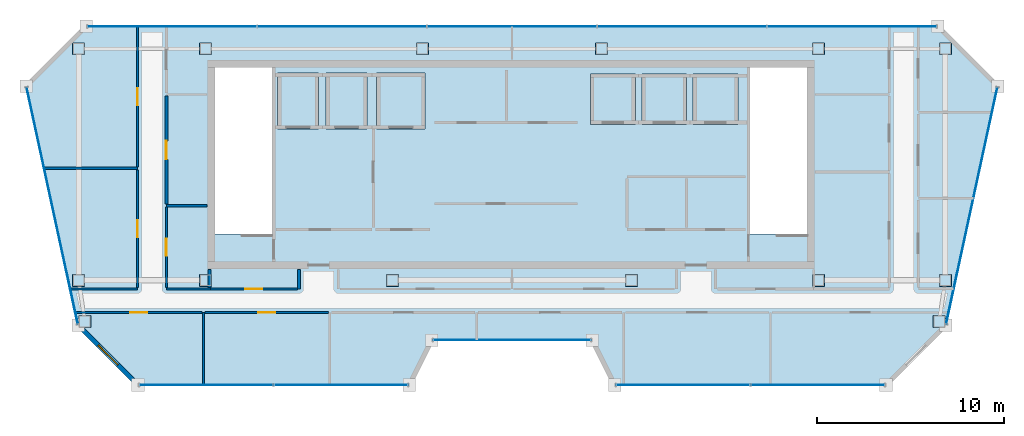
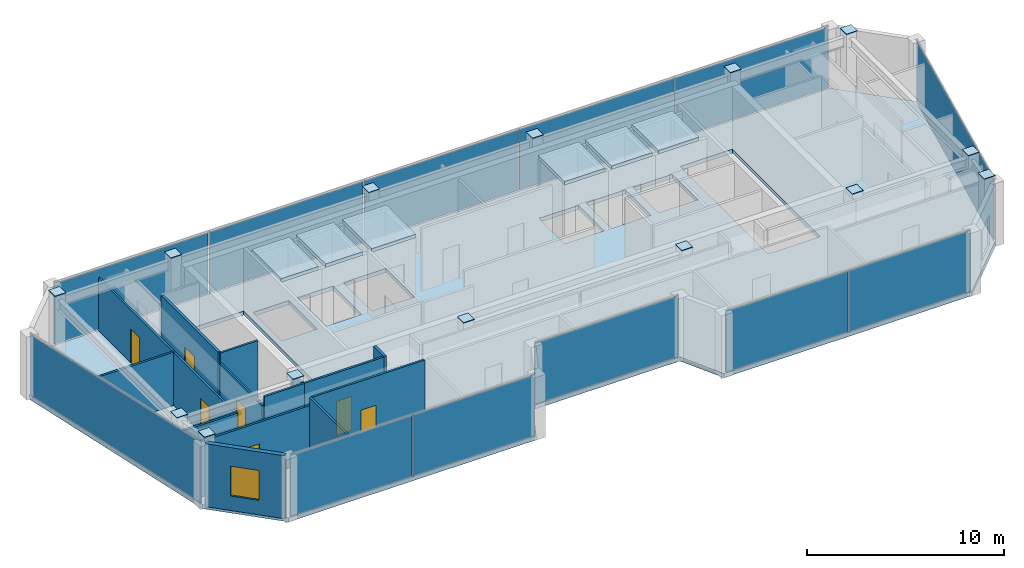
# One storey, part 13 of 17: 26 plates, 15 walls, 7 doors, 7 slabs, 1 window, 8 openings, 6 elements without a shape of their own.
"""IFC4 building model written with IfcOpenShell, lengths in metres."""

from ifc_helpers import new_model, si_unit, direction, frame, frame_2d, origin, origin_2d, place, context, subcontext, project, spatial, polyline, rectangle, outline, extrude, material, layer, layer_set, type_object, element, fill, aggregate, save


model = new_model("IFC4")

# Units and contexts
model_context = context("Model", 3, precision=1e-05, world=origin(), true_north=direction((0.0, 1.0)))
body_context = subcontext(model_context, "Body", "Model", "MODEL_VIEW")
ifc_project = project(units=[si_unit("LENGTHUNIT", "METRE"), si_unit("AREAUNIT", "SQUARE_METRE"), si_unit("VOLUMEUNIT", "CUBIC_METRE"), si_unit("PLANEANGLEUNIT", "RADIAN"), si_unit("MASSUNIT", "GRAM", prefix="KILO")], contexts=[model_context])

# Site, building, storey
site_placement = place(None, origin())
site = spatial("IfcSite", under=ifc_project, at=site_placement, CompositionType="ELEMENT")
building_placement = place(site_placement, origin())
building = spatial("IfcBuilding", under=site, at=building_placement, Name="Saevonmaru Cultural Tower", CompositionType="ELEMENT")
storey_placement = place(building_placement, frame((0.0, 0.0, 323.39990234375)))
storey = spatial("IfcBuildingStorey", under=building, at=storey_placement, Name="L77", CompositionType="ELEMENT", Elevation=323.39990234375)

# Plates
ifc_material_1 = material(Name="Steel HSA600 (600 MPa)", Category="steel")
ifc_layer_1 = layer(ifc_material_1, 0.0400390625, Name="Steel HSA600 (600 MPa)")
ifc_layer_set_1 = layer_set([ifc_layer_1], Name="Steel HSA600 (600 MPa)")
plate_type_1 = type_object("IfcPlateType", Name="PL-CAP-600", PredefinedType="USERDEFINED", material=ifc_layer_set_1)
for number, where, z_axis, x_axis, name in (
    (1, (52.867919921875, 40.199951171875, 4.195068359375), (0.0, 0.0, 1.0), (1.0, 0.0, 0.0), "Column head cap plate TC-EO-Y402 L77"),
    (2, (6.800048828125, 54.800048828125, 4.195068359375), (0.0, 0.0, 1.0), (1.0, 0.0, 0.0), "Column head cap plate TC-N1N L77"),
    (3, (13.60009765625, 54.800048828125, 4.195068359375), (0.0, 0.0, 1.0), (1.0, 0.0, 0.0), "Column head cap plate TC-N2N L77"),
    (4, (25.199951171875, 54.800048828125, 4.195068359375), (0.0, 0.0, 1.0), (1.0, 0.0, 0.0), "Column head cap plate TC-N3N L77"),
    (5, (34.800048828125, 54.800048828125, 4.195068359375), (0.0, 0.0, 1.0), (1.0, 0.0, 0.0), "Column head cap plate TC-N4N L77"),
    (6, (46.39990234375, 54.800048828125, 4.195068359375), (0.0, 0.0, 1.0), (1.0, 0.0, 0.0), "Column head cap plate TC-N5N L77"),
    (7, (53.199951171875, 54.800048828125, 4.195068359375), (0.0, 0.0, 1.0), (1.0, 0.0, 0.0), "Column head cap plate TC-N6N L77"),
    (8, (6.800048828125, 42.39990234375, 4.195068359375), (0.0, 0.0, 1.0), (1.0, 0.0, 0.0), "Column head cap plate TC-S1C L77"),
    (9, (13.60009765625, 42.39990234375, 4.195068359375), (0.0, 0.0, 1.0), (1.0, 0.0, 0.0), "Column head cap plate TC-S2C L77"),
    (10, (23.60009765625, 42.39990234375, 4.195068359375), (0.0, 0.0, 1.0), (1.0, 0.0, 0.0), "Column head cap plate TC-S3C L77"),
    (11, (36.39990234375, 42.39990234375, 4.195068359375), (0.0, 0.0, 1.0), (1.0, 0.0, 0.0), "Column head cap plate TC-S4C L77"),
    (12, (46.39990234375, 42.39990234375, 4.195068359375), (0.0, 0.0, 1.0), (1.0, 0.0, 0.0), "Column head cap plate TC-S5C L77"),
    (13, (53.199951171875, 42.39990234375, 4.195068359375), (0.0, 0.0, 1.0), (1.0, 0.0, 0.0), "Column head cap plate TC-S6C L77"),
    (14, (7.132080078125, 40.199951171875, 4.195068359375), (0.0, 0.0, 1.0), (1.0, 0.0, 0.0), "Column head cap plate TC-WO-Y402 L77"),
):
    element("IfcPlate", number, at=place(storey_placement, frame(where, z_axis=z_axis, x_axis=x_axis)), inside=storey, type_object=plate_type_1, Name=name, ObjectType="CAP_PLATE", PredefinedType="USERDEFINED", context=body_context, shape_type="SweptSolid", body=[
        extrude(rectangle(XDim=0.639892578125, YDim=0.639892578125, at=origin_2d()), origin(), (0.0, 0.0, 1.0), 0.0400390625),
    ])

# Curtain wall, plates
ifc_material_2 = material(Name="Satin Bronze Anodised Aluminium", Category="aluminium")
curtain_wall_type = type_object("IfcCurtainWallType", Name="CW-SKY-GLZ", PredefinedType="NOTDEFINED", material=ifc_material_2)
curtain_wall_1_placement = place(storey_placement, origin())
curtain_wall_1 = element("IfcCurtainWall", 15, at=curtain_wall_1_placement, inside=storey, type_object=curtain_wall_type, Name="L77 Unitised Curtain Wall E2", PredefinedType="NOTDEFINED")
ifc_material_3 = material(Name="Triple Silver Low-E Insulating Glass", Category="glass")
ifc_layer_2 = layer(ifc_material_3, 0.035888671875, Name="Triple Silver Low-E Insulating Glass")
ifc_layer_set_2 = layer_set([ifc_layer_2], Name="Triple Silver Low-E Insulating Glass")
plate_type_2 = type_object("IfcPlateType", Name="PN-GLZ-IGU", PredefinedType="CURTAIN_PANEL", material=ifc_layer_set_2)
plate_1_placement = place(storey_placement, frame((13.635009765625, 36.800048828125, 0.067138671875), z_axis=(0.0, 0.0, 1.0), x_axis=(1.0, 0.0, 0.0)))
plate_1 = element("IfcPlate", 16, at=plate_1_placement, type_object=plate_type_2, Name="CW-TW-L77-E2 panel 1.1", PredefinedType="CURTAIN_PANEL", context=body_context, shape_type="SweptSolid", body=[
    extrude(rectangle(XDim=7.13427734375, YDim=0.035888671875, at=origin_2d()), origin(), (0.0, 0.0, 1.0), 3.76611328125),
])
plate_2_placement = place(storey_placement, frame((20.83837890625, 36.800048828125, 0.067138671875), z_axis=(0.0, 0.0, 1.0), x_axis=(1.0, 0.0, 0.0)))
plate_2 = element("IfcPlate", 17, at=plate_2_placement, type_object=plate_type_2, Name="CW-TW-L77-E2 panel 2.1", PredefinedType="CURTAIN_PANEL", context=body_context, shape_type="SweptSolid", body=[
    extrude(rectangle(XDim=7.13427734375, YDim=0.035888671875, at=origin_2d()), origin(), (0.0, 0.0, 1.0), 3.76611328125),
])
aggregate(curtain_wall_1, [plate_1, plate_2])

# Curtain wall, plate
curtain_wall_2_placement = place(storey_placement, origin())
curtain_wall_2 = element("IfcCurtainWall", 18, at=curtain_wall_2_placement, inside=storey, type_object=curtain_wall_type, Name="L77 Unitised Curtain Wall E4", PredefinedType="NOTDEFINED")
plate_3_placement = place(storey_placement, frame((30.0, 39.199951171875, 0.067138671875), z_axis=(0.0, 0.0, 1.0), x_axis=(1.0, 0.0, 0.0)))
plate_3 = element("IfcPlate", 19, at=plate_3_placement, type_object=plate_type_2, Name="CW-TW-L77-E4 panel 1.1", PredefinedType="CURTAIN_PANEL", context=body_context, shape_type="SweptSolid", body=[
    extrude(rectangle(XDim=8.410888671875, YDim=0.035888671875, at=origin_2d()), origin(), (0.0, 0.0, 1.0), 3.76611328125),
])
aggregate(curtain_wall_2, [plate_3])

# Curtain wall, plates
curtain_wall_3_placement = place(storey_placement, origin())
curtain_wall_3 = element("IfcCurtainWall", 20, at=curtain_wall_3_placement, inside=storey, type_object=curtain_wall_type, Name="L77 Unitised Curtain Wall E6", PredefinedType="NOTDEFINED")
plate_4_placement = place(storey_placement, frame((39.16162109375, 36.800048828125, 0.067138671875), z_axis=(0.0, 0.0, 1.0), x_axis=(1.0, 0.0, 0.0)))
plate_4 = element("IfcPlate", 21, at=plate_4_placement, type_object=plate_type_2, Name="CW-TW-L77-E6 panel 1.1", PredefinedType="CURTAIN_PANEL", context=body_context, shape_type="SweptSolid", body=[
    extrude(rectangle(XDim=7.13427734375, YDim=0.035888671875, at=origin_2d()), origin(), (0.0, 0.0, 1.0), 3.76611328125),
])
plate_5_placement = place(storey_placement, frame((46.364990234375, 36.800048828125, 0.067138671875), z_axis=(0.0, 0.0, 1.0), x_axis=(1.0, 0.0, 0.0)))
plate_5 = element("IfcPlate", 22, at=plate_5_placement, type_object=plate_type_2, Name="CW-TW-L77-E6 panel 2.1", PredefinedType="CURTAIN_PANEL", context=body_context, shape_type="SweptSolid", body=[
    extrude(rectangle(XDim=7.13427734375, YDim=0.035888671875, at=origin_2d()), origin(), (0.0, 0.0, 1.0), 3.76611328125),
])
aggregate(curtain_wall_3, [plate_4, plate_5])

# Curtain wall, plate
curtain_wall_4_placement = place(storey_placement, origin())
curtain_wall_4 = element("IfcCurtainWall", 23, at=curtain_wall_4_placement, inside=storey, type_object=curtain_wall_type, Name="L77 Unitised Curtain Wall E8", PredefinedType="NOTDEFINED")
plate_6_placement = place(storey_placement, frame((54.61328125, 46.39990234375, 0.067138671875), z_axis=(0.0, 0.0, 1.0), x_axis=(0.211750401587, 0.977323778196, 0.0)))
plate_6 = element("IfcPlate", 24, at=plate_6_placement, type_object=plate_type_2, Name="CW-TW-L77-E8 panel 1.1", PredefinedType="CURTAIN_PANEL", context=body_context, shape_type="SweptSolid", body=[
    extrude(rectangle(XDim=12.907958984375, YDim=0.035888671875, at=origin_2d()), origin(), (0.0, 0.0, 1.0), 3.76611328125),
])
aggregate(curtain_wall_4, [plate_6])

# Curtain wall, plates
curtain_wall_5_placement = place(storey_placement, origin())
curtain_wall_5 = element("IfcCurtainWall", 25, at=curtain_wall_5_placement, inside=storey, type_object=curtain_wall_type, Name="L77 Unitised Curtain Wall E10", PredefinedType="NOTDEFINED")
plate_7_placement = place(storey_placement, frame((48.19189453125, 56.0, 0.067138671875), z_axis=(0.0, 0.0, 1.0), x_axis=(-1.0, 0.0, 0.0)))
plate_7 = element("IfcPlate", 26, at=plate_7_placement, type_object=plate_type_2, Name="CW-TW-L77-E10 panel 1.1", PredefinedType="CURTAIN_PANEL", context=body_context, shape_type="SweptSolid", body=[
    extrude(rectangle(XDim=9.027099609375, YDim=0.035888671875, at=origin_2d()), origin(), (0.0, 0.0, 1.0), 3.76611328125),
])
plate_8_placement = place(storey_placement, frame((39.095947265625, 56.0, 0.067138671875), z_axis=(0.0, 0.0, 1.0), x_axis=(-1.0, 0.0, 0.0)))
plate_8 = element("IfcPlate", 27, at=plate_8_placement, type_object=plate_type_2, Name="CW-TW-L77-E10 panel 2.1", PredefinedType="CURTAIN_PANEL", context=body_context, shape_type="SweptSolid", body=[
    extrude(rectangle(XDim=9.027099609375, YDim=0.035888671875, at=origin_2d()), origin(), (0.0, 0.0, 1.0), 3.76611328125),
])
plate_9_placement = place(storey_placement, frame((30.0, 56.0, 0.067138671875), z_axis=(0.0, 0.0, 1.0), x_axis=(-1.0, 0.0, 0.0)))
plate_9 = element("IfcPlate", 28, at=plate_9_placement, type_object=plate_type_2, Name="CW-TW-L77-E10 panel 3.1", PredefinedType="CURTAIN_PANEL", context=body_context, shape_type="SweptSolid", body=[
    extrude(rectangle(XDim=9.027099609375, YDim=0.035888671875, at=origin_2d()), origin(), (0.0, 0.0, 1.0), 3.76611328125),
])
plate_10_placement = place(storey_placement, frame((20.904052734375, 56.0, 0.067138671875), z_axis=(0.0, 0.0, 1.0), x_axis=(-1.0, 0.0, 0.0)))
plate_10 = element("IfcPlate", 29, at=plate_10_placement, type_object=plate_type_2, Name="CW-TW-L77-E10 panel 4.1", PredefinedType="CURTAIN_PANEL", context=body_context, shape_type="SweptSolid", body=[
    extrude(rectangle(XDim=9.027099609375, YDim=0.035888671875, at=origin_2d()), origin(), (0.0, 0.0, 1.0), 3.76611328125),
])
plate_11_placement = place(storey_placement, frame((11.80810546875, 56.0, 0.067138671875), z_axis=(0.0, 0.0, 1.0), x_axis=(-1.0, 0.0, 0.0)))
plate_11 = element("IfcPlate", 30, at=plate_11_placement, type_object=plate_type_2, Name="CW-TW-L77-E10 panel 5.1", PredefinedType="CURTAIN_PANEL", context=body_context, shape_type="SweptSolid", body=[
    extrude(rectangle(XDim=9.027099609375, YDim=0.035888671875, at=origin_2d()), origin(), (0.0, 0.0, 1.0), 3.76611328125),
])
aggregate(curtain_wall_5, [plate_7, plate_8, plate_9, plate_10, plate_11])

# Curtain wall, plate
curtain_wall_6_placement = place(storey_placement, origin())
curtain_wall_6 = element("IfcCurtainWall", 31, at=curtain_wall_6_placement, inside=storey, type_object=curtain_wall_type, Name="L77 Unitised Curtain Wall E12", PredefinedType="NOTDEFINED")
plate_12_placement = place(storey_placement, frame((5.38671875, 46.39990234375, 0.067138671875), z_axis=(0.0, 0.0, 1.0), x_axis=(0.211750401587, -0.977323778196, 0.0)))
plate_12 = element("IfcPlate", 32, at=plate_12_placement, type_object=plate_type_2, Name="CW-TW-L77-E12 panel 1.1", PredefinedType="CURTAIN_PANEL", context=body_context, shape_type="SweptSolid", body=[
    extrude(rectangle(XDim=12.907958984375, YDim=0.035888671875, at=origin_2d()), origin(), (0.0, 0.0, 1.0), 3.76611328125),
])
aggregate(curtain_wall_6, [plate_12])

# Slabs
ifc_material_4 = material(Name="Concrete C40/50", Category="concrete")
ifc_layer_3 = layer(ifc_material_4, 0.25, Name="Concrete C40/50")
ifc_layer_set_3 = layer_set([ifc_layer_3], Name="Concrete C40/50")
slab_type_1 = type_object("IfcSlabType", Name="SL-FLR-250", PredefinedType="FLOOR", material=ifc_layer_set_3)
slab_1_placement = place(storey_placement, frame((0.0, 0.0, -0.25)))
element("IfcSlab", 33, at=slab_1_placement, inside=storey, type_object=slab_type_1, Name="L77 Tower Structural Floor Slab", PredefinedType="FLOOR", context=body_context, shape_type="SweptSolid", body=[
    extrude(outline(polyline([(6.773193359375, 40.0), (9.973388671875, 36.800048828125), (24.5, 36.800048828125), (25.699951171875, 39.199951171875), (34.300048828125, 39.199951171875), (35.5, 36.800048828125), (50.026611328125, 36.800048828125), (53.226806640625, 40.0), (56.0, 52.800048828125), (52.800048828125, 56.0), (7.199951171875, 56.0), (4.0, 52.800048828125), (6.773193359375, 40.0)]), holes=[polyline([(45.800048828125, 53.800048828125), (45.800048828125, 44.875), (42.75, 44.875), (42.75, 53.800048828125), (45.800048828125, 53.800048828125)]), polyline([(42.050048828125, 50.800048828125), (39.75, 50.800048828125), (39.75, 53.39990234375), (42.050048828125, 53.39990234375), (42.050048828125, 50.800048828125)]), polyline([(39.300048828125, 50.800048828125), (37.0, 50.800048828125), (37.0, 53.39990234375), (39.300048828125, 53.39990234375), (39.300048828125, 50.800048828125)]), polyline([(36.550048828125, 50.800048828125), (34.25, 50.800048828125), (34.25, 53.39990234375), (36.550048828125, 53.39990234375), (36.550048828125, 50.800048828125)]), polyline([(25.300048828125, 50.550048828125), (22.800048828125, 50.550048828125), (22.800048828125, 53.449951171875), (25.300048828125, 53.449951171875), (25.300048828125, 50.550048828125)]), polyline([(22.199951171875, 50.550048828125), (20.10009765625, 50.550048828125), (20.10009765625, 53.449951171875), (22.199951171875, 53.449951171875), (22.199951171875, 50.550048828125)]), polyline([(19.60009765625, 50.550048828125), (17.5, 50.550048828125), (17.5, 53.449951171875), (19.60009765625, 53.449951171875), (19.60009765625, 50.550048828125)]), polyline([(17.14990234375, 53.800048828125), (17.14990234375, 44.875), (14.10009765625, 44.875), (14.10009765625, 53.800048828125), (17.14990234375, 53.800048828125)])]), origin(), (0.0, 0.0, 1.0), 0.25),
])
ifc_layer_4 = layer(ifc_material_4, 0.219970703125, Name="Concrete C40/50")
ifc_layer_set_4 = layer_set([ifc_layer_4], Name="Concrete C40/50")
slab_type_2 = type_object("IfcSlabType", Name="SL-SHAFT-CAP-220", PredefinedType="ROOF", material=ifc_layer_set_4)
slab_2_placement = place(storey_placement, frame((0.0, 0.0, 3.68017578125)))
element("IfcSlab", 34, at=slab_2_placement, inside=storey, type_object=slab_type_2, Name="Lift FFL-1 Overrun Cap Slab", PredefinedType="ROOF", context=body_context, shape_type="SweptSolid", body=[
    extrude(outline(polyline([(17.449951171875, 50.5), (19.64990234375, 50.5), (19.64990234375, 53.5), (17.449951171875, 53.5), (17.449951171875, 50.5)])), origin(), (0.0, 0.0, 1.0), 0.219970703125),
])
slab_3_placement = place(storey_placement, frame((0.0, 0.0, 3.68017578125)))
element("IfcSlab", 35, at=slab_3_placement, inside=storey, type_object=slab_type_2, Name="Lift FFL-2 Overrun Cap Slab", PredefinedType="ROOF", context=body_context, shape_type="SweptSolid", body=[
    extrude(outline(polyline([(20.050048828125, 50.5), (22.25, 50.5), (22.25, 53.5), (20.050048828125, 53.5), (20.050048828125, 50.5)])), origin(), (0.0, 0.0, 1.0), 0.219970703125),
])
slab_4_placement = place(storey_placement, frame((0.0, 0.0, 3.68017578125)))
element("IfcSlab", 36, at=slab_4_placement, inside=storey, type_object=slab_type_2, Name="Lift GL-1 Overrun Cap Slab", PredefinedType="ROOF", context=body_context, shape_type="SweptSolid", body=[
    extrude(outline(polyline([(22.75, 50.5), (25.35009765625, 50.5), (25.35009765625, 53.5), (22.75, 53.5), (22.75, 50.5)])), origin(), (0.0, 0.0, 1.0), 0.219970703125),
])
slab_5_placement = place(storey_placement, frame((0.0, 0.0, 3.68017578125)))
element("IfcSlab", 37, at=slab_5_placement, inside=storey, type_object=slab_type_2, Name="Lift PL-H1 Overrun Cap Slab", PredefinedType="ROOF", context=body_context, shape_type="SweptSolid", body=[
    extrude(outline(polyline([(34.199951171875, 50.75), (36.60009765625, 50.75), (36.60009765625, 53.449951171875), (34.199951171875, 53.449951171875), (34.199951171875, 50.75)])), origin(), (0.0, 0.0, 1.0), 0.219970703125),
])
slab_6_placement = place(storey_placement, frame((0.0, 0.0, 3.68017578125)))
element("IfcSlab", 38, at=slab_6_placement, inside=storey, type_object=slab_type_2, Name="Lift PL-H2 Overrun Cap Slab", PredefinedType="ROOF", context=body_context, shape_type="SweptSolid", body=[
    extrude(outline(polyline([(36.949951171875, 50.75), (39.35009765625, 50.75), (39.35009765625, 53.449951171875), (36.949951171875, 53.449951171875), (36.949951171875, 50.75)])), origin(), (0.0, 0.0, 1.0), 0.219970703125),
])
slab_7_placement = place(storey_placement, frame((0.0, 0.0, 3.68017578125)))
element("IfcSlab", 39, at=slab_7_placement, inside=storey, type_object=slab_type_2, Name="Lift PL-H3 Overrun Cap Slab", PredefinedType="ROOF", context=body_context, shape_type="SweptSolid", body=[
    extrude(outline(polyline([(39.699951171875, 50.75), (42.10009765625, 50.75), (42.10009765625, 53.449951171875), (39.699951171875, 53.449951171875), (39.699951171875, 50.75)])), origin(), (0.0, 0.0, 1.0), 0.219970703125),
])

# Wall, opening, window
ifc_material_5 = material(Name="Granite-Clad Precast Concrete C40/50", Category="masonry")
ifc_layer_5 = layer(ifc_material_5, 0.260009765625, Name="Granite-Clad Precast Concrete C40/50")
ifc_layer_set_5 = layer_set([ifc_layer_5], Name="Granite-Clad Precast Concrete C40/50")
wall_type_1 = type_object("IfcWallType", Name="WL-EXT-SPANDREL-260", PredefinedType="STANDARD", material=ifc_layer_set_5)
wall_1_placement = place(storey_placement, frame((6.886474609375, 39.886962890625, 0.0), z_axis=(0.0, 0.0, 1.0), x_axis=(0.70707775441, -0.707135806771, 0.0)))
wall_1 = element("IfcWall", 40, at=wall_1_placement, inside=storey, type_object=wall_type_1, Name="L77 Chamfer Corner Spandrel Wall E1", PredefinedType="STANDARD", context=body_context, shape_type="SweptSolid", body=[
    extrude(rectangle(XDim=4.20556640625, YDim=0.260009765625, at=frame_2d((2.102783203125, 0.0))), origin(), (0.0, 0.0, 1.0), 3.900146484375),
])
opening_1_placement = place(wall_1_placement, frame((1.35302734375, 0.0, 0.89990234375)))
opening_1 = element("IfcOpeningElement", 41, at=opening_1_placement, cuts=wall_1, Name="Opening W-2B", PredefinedType="OPENING", context=body_context, shape_type="SweptSolid", body=[
    extrude(rectangle(XDim=1.5, YDim=1.85009765625, at=frame_2d((0.75, 0.925048828125))), frame((0.0, 0.14013671875, 0.0), z_axis=(0.0, -1.0, 0.0), x_axis=(1.0, 0.0, 0.0)), (0.0, 0.0, 1.0), 0.280029296875),
])
window_type = type_object("IfcWindowType", Name="WN-DECO-1500x1850", PartitioningType="SINGLE_PANEL", PredefinedType="WINDOW", material=ifc_material_2)
window_placement = place(opening_1_placement, origin())
window = element("IfcWindow", 42, at=window_placement, inside=storey, type_object=window_type, Name="L77 Chamfer Corner Bronze Window E1", OverallHeight=1.85009765625, OverallWidth=1.5, PartitioningType="SINGLE_PANEL", PredefinedType="WINDOW", context=body_context, shape_type="SweptSolid", body=[
    extrude(rectangle(XDim=1.5, YDim=1.85009765625, at=frame_2d((0.75, 0.925048828125))), frame((0.0, 0.030029296875, 0.0), z_axis=(0.0, -1.0, 0.0), x_axis=(1.0, 0.0, 0.0)), (0.0, 0.0, 1.0), 0.06005859375),
])
fill(opening_1, window)

# Wall, opening, door
ifc_material_6 = material(Name="Gypsum Fireboard Partition", Category="gypsum")
ifc_layer_6 = layer(ifc_material_6, 0.14990234375, Name="Gypsum Fireboard Partition")
ifc_layer_set_6 = layer_set([ifc_layer_6], Name="Gypsum Fireboard Partition")
wall_type_2 = type_object("IfcWallType", Name="WL-PART-FIRE-150", PredefinedType="PARTITIONING", material=ifc_layer_set_6)
wall_2_placement = place(storey_placement, frame((11.5, 46.47998046875, 0.0), z_axis=(0.0, 0.0, 1.0), x_axis=(0.0, 1.0, 0.0)))
wall_2 = element("IfcWall", 43, at=wall_2_placement, inside=storey, type_object=wall_type_2, Name="L77 Media Screening Auditorium Corridor Wall", PredefinedType="PARTITIONING", context=body_context, shape_type="SweptSolid", body=[
    extrude(rectangle(XDim=5.7900390625, YDim=0.14990234375, at=frame_2d((2.89501953125, 0.0))), origin(), (0.0, 0.0, 1.0), 3.900146484375),
])
opening_2_placement = place(wall_2_placement, frame((2.39501953125, 0.0, 0.0)))
opening_2 = element("IfcOpeningElement", 44, at=opening_2_placement, cuts=wall_2, Name="Opening ID-1B", PredefinedType="OPENING", context=body_context, shape_type="SweptSolid", body=[
    extrude(rectangle(XDim=1.0, YDim=2.14990234375, at=frame_2d((0.5, 1.074951171875))), frame((0.0, 0.0849609375, 0.0), z_axis=(0.0, -1.0, 0.0), x_axis=(1.0, 0.0, 0.0)), (0.0, 0.0, 1.0), 0.169921875),
])
ifc_material_7 = material(Name="Acoustic Stained Oak Timber", Category="wood")
door_type_1 = type_object("IfcDoorType", Name="DR-INT-1000", OperationType="SINGLE_SWING_RIGHT", PredefinedType="DOOR", material=ifc_material_7)
door_1_placement = place(opening_2_placement, origin())
door_1 = element("IfcDoor", 45, at=door_1_placement, inside=storey, type_object=door_type_1, Name="L77 Media Screening Auditorium Door", OperationType="SINGLE_SWING_LEFT", OverallHeight=2.14990234375, OverallWidth=1.0, PredefinedType="DOOR", context=body_context, shape_type="SweptSolid", body=[
    extrude(rectangle(XDim=1.0, YDim=2.14990234375, at=frame_2d((0.5, 1.074951171875))), frame((0.0, 0.02490234375, 0.0), z_axis=(0.0, -1.0, 0.0), x_axis=(1.0, 0.0, 0.0)), (0.0, 0.0, 1.0), 0.050048828125),
])
fill(opening_2, door_1)

# Walls
wall_3_placement = place(storey_placement, frame((13.800048828125, 42.02001953125, 0.0), z_axis=(0.0, 0.0, 1.0), x_axis=(0.0, 1.0, 0.0)))
element("IfcWall", 46, at=wall_3_placement, inside=storey, type_object=wall_type_2, Name="L77 Core Portal Side Wall W0", PredefinedType="PARTITIONING", context=body_context, shape_type="SweptSolid", body=[
    extrude(rectangle(XDim=0.9599609375, YDim=0.14990234375, at=frame_2d((0.47998046875, 0.0))), origin(), (0.0, 0.0, 1.0), 3.900146484375),
])
wall_4_placement = place(storey_placement, frame((18.60009765625, 41.93994140625, 0.0), z_axis=(0.0, 0.0, 1.0), x_axis=(0.0, 1.0, 0.0)))
element("IfcWall", 47, at=wall_4_placement, inside=storey, type_object=wall_type_2, Name="L77 Core Portal Side Wall W1", PredefinedType="PARTITIONING", context=body_context, shape_type="SweptSolid", body=[
    extrude(rectangle(XDim=1.0400390625, YDim=0.14990234375, at=frame_2d((0.52001953125, 0.0))), origin(), (0.0, 0.0, 1.0), 3.900146484375),
])
ifc_layer_7 = layer(ifc_material_6, 0.1201171875, Name="Gypsum Fireboard Partition")
ifc_layer_set_7 = layer_set([ifc_layer_7], Name="Gypsum Fireboard Partition")
wall_type_3 = type_object("IfcWallType", Name="WL-PART-GYP-120", PredefinedType="PARTITIONING", material=ifc_layer_set_7)
wall_5_placement = place(storey_placement, frame((6.358154296875, 41.93994140625, 0.0), z_axis=(0.0, 0.0, 1.0), x_axis=(1.0, 0.0, 0.0)))
element("IfcWall", 48, at=wall_5_placement, inside=storey, type_object=wall_type_3, Name="L77 NW Wing South Wall", PredefinedType="PARTITIONING", context=body_context, shape_type="SweptSolid", body=[
    extrude(rectangle(XDim=3.591796875, YDim=0.1201171875, at=frame_2d((1.7958984375, 0.0))), origin(), (0.0, 0.0, 1.0), 3.43505859375),
])
wall_6_placement = place(storey_placement, frame((11.5, 41.93994140625, 0.0), z_axis=(0.0, 0.0, 1.0), x_axis=(1.0, 0.0, 0.0)))
element("IfcWall", 49, at=wall_6_placement, inside=storey, type_object=wall_type_3, Name="L77 NW Inner South Wall", PredefinedType="PARTITIONING", context=body_context, shape_type="SweptSolid", body=[
    extrude(rectangle(XDim=2.35009765625, YDim=0.1201171875, at=frame_2d((1.175048828125, 0.0))), origin(), (0.0, 0.0, 1.0), 3.900146484375),
])
wall_7_placement = place(storey_placement, frame((4.95849609375, 48.39990234375, 0.0), z_axis=(0.0, 0.0, 1.0), x_axis=(1.0, 0.0, 0.0)))
element("IfcWall", 50, at=wall_7_placement, inside=storey, type_object=wall_type_3, Name="L77 NW Studio Divider 1", PredefinedType="PARTITIONING", context=body_context, shape_type="SweptSolid", body=[
    extrude(rectangle(XDim=4.991455078125, YDim=0.1201171875, at=frame_2d((2.49560546875, 0.0))), origin(), (0.0, 0.0, 1.0), 3.297119140625),
])

# Wall, opening, door
wall_8_placement = place(storey_placement, frame((9.949951171875, 42.02001953125, 0.0), z_axis=(0.0, 0.0, 1.0), x_axis=(0.0, 1.0, 0.0)))
wall_8 = element("IfcWall", 51, at=wall_8_placement, inside=storey, type_object=wall_type_3, Name="L77 Digital Media Classroom Corridor Wall", PredefinedType="PARTITIONING", context=body_context, shape_type="SweptSolid", body=[
    extrude(rectangle(XDim=6.300048828125, YDim=0.1201171875, at=frame_2d((3.14990234375, 0.0))), origin(), (0.0, 0.0, 1.0), 3.297119140625),
])
opening_3_placement = place(wall_8_placement, frame((2.699951171875, 0.0, 0.0)))
opening_3 = element("IfcOpeningElement", 52, at=opening_3_placement, cuts=wall_8, Name="Opening ID-2", PredefinedType="OPENING", context=body_context, shape_type="SweptSolid", body=[
    extrude(rectangle(XDim=0.89990234375, YDim=2.10009765625, at=frame_2d((0.449951171875, 1.050048828125))), frame((0.0, 0.070068359375, 0.0), z_axis=(0.0, -1.0, 0.0), x_axis=(1.0, 0.0, 0.0)), (0.0, 0.0, 1.0), 0.14013671875),
])
door_type_2 = type_object("IfcDoorType", Name="DR-INT-900", OperationType="SINGLE_SWING_RIGHT", PredefinedType="DOOR", material=ifc_material_7)
door_2_placement = place(opening_3_placement, origin())
door_2 = element("IfcDoor", 53, at=door_2_placement, inside=storey, type_object=door_type_2, Name="L77 Digital Media Classroom Door", OperationType="SINGLE_SWING_RIGHT", OverallHeight=2.10009765625, OverallWidth=0.89990234375, PredefinedType="DOOR", context=body_context, shape_type="SweptSolid", body=[
    extrude(rectangle(XDim=0.89990234375, YDim=2.10009765625, at=frame_2d((0.449951171875, 1.050048828125))), frame((0.0, 0.02490234375, 0.0), z_axis=(0.0, -1.0, 0.0), x_axis=(1.0, 0.0, 0.0)), (0.0, 0.0, 1.0), 0.050048828125),
])
fill(opening_3, door_2)

wall_9_placement = place(storey_placement, frame((9.949951171875, 48.47998046875, 0.0), z_axis=(0.0, 0.0, 1.0), x_axis=(0.0, 1.0, 0.0)))
wall_9 = element("IfcWall", 54, at=wall_9_placement, inside=storey, type_object=wall_type_3, Name="L77 Design Seminar Classroom Corridor Wall", PredefinedType="PARTITIONING", context=body_context, shape_type="SweptSolid", body=[
    extrude(rectangle(XDim=7.51513671875, YDim=0.1201171875, at=frame_2d((3.757568359375, 0.0))), origin(), (0.0, 0.0, 1.0), 3.28515625),
])
opening_4_placement = place(wall_9_placement, frame((3.30810546875, 0.0, 0.0)))
opening_4 = element("IfcOpeningElement", 55, at=opening_4_placement, cuts=wall_9, Name="Opening ID-2", PredefinedType="OPENING", context=body_context, shape_type="SweptSolid", body=[
    extrude(rectangle(XDim=0.89990234375, YDim=2.10009765625, at=frame_2d((0.449951171875, 1.050048828125))), frame((0.0, 0.070068359375, 0.0), z_axis=(0.0, -1.0, 0.0), x_axis=(1.0, 0.0, 0.0)), (0.0, 0.0, 1.0), 0.14013671875),
])
door_3_placement = place(opening_4_placement, origin())
door_3 = element("IfcDoor", 56, at=door_3_placement, inside=storey, type_object=door_type_2, Name="L77 Design Seminar Classroom Door", OperationType="SINGLE_SWING_LEFT", OverallHeight=2.10009765625, OverallWidth=0.89990234375, PredefinedType="DOOR", context=body_context, shape_type="SweptSolid", body=[
    extrude(rectangle(XDim=0.89990234375, YDim=2.10009765625, at=frame_2d((0.449951171875, 1.050048828125))), frame((0.0, 0.02490234375, 0.0), z_axis=(0.0, -1.0, 0.0), x_axis=(1.0, 0.0, 0.0)), (0.0, 0.0, 1.0), 0.050048828125),
])
fill(opening_4, door_3)

# Wall
wall_10_placement = place(storey_placement, frame((11.5, 46.39990234375, 0.0), z_axis=(0.0, 0.0, 1.0), x_axis=(1.0, 0.0, 0.0)))
element("IfcWall", 57, at=wall_10_placement, inside=storey, type_object=wall_type_3, Name="L77 NW Inner Divider", PredefinedType="PARTITIONING", context=body_context, shape_type="SweptSolid", body=[
    extrude(rectangle(XDim=2.179931640625, YDim=0.1201171875, at=frame_2d((1.08984375, 0.0))), origin(), (0.0, 0.0, 1.0), 3.900146484375),
])

# Wall, opening, door
wall_11_placement = place(storey_placement, frame((11.5, 42.02001953125, 0.0), z_axis=(0.0, 0.0, 1.0), x_axis=(0.0, 1.0, 0.0)))
wall_11 = element("IfcWall", 58, at=wall_11_placement, inside=storey, type_object=wall_type_3, Name="L77 Design Seminar Classroom Corridor Wall", PredefinedType="PARTITIONING", context=body_context, shape_type="SweptSolid", body=[
    extrude(rectangle(XDim=4.300048828125, YDim=0.1201171875, at=frame_2d((2.14990234375, 0.0))), origin(), (0.0, 0.0, 1.0), 3.297119140625),
])
opening_5_placement = place(wall_11_placement, frame((1.699951171875, 0.0, 0.0)))
opening_5 = element("IfcOpeningElement", 59, at=opening_5_placement, cuts=wall_11, Name="Opening ID-2", PredefinedType="OPENING", context=body_context, shape_type="SweptSolid", body=[
    extrude(rectangle(XDim=0.89990234375, YDim=2.10009765625, at=frame_2d((0.449951171875, 1.050048828125))), frame((0.0, 0.070068359375, 0.0), z_axis=(0.0, -1.0, 0.0), x_axis=(1.0, 0.0, 0.0)), (0.0, 0.0, 1.0), 0.14013671875),
])
door_4_placement = place(opening_5_placement, origin())
door_4 = element("IfcDoor", 60, at=door_4_placement, inside=storey, type_object=door_type_2, Name="L77 Design Seminar Classroom Door", OperationType="SINGLE_SWING_RIGHT", OverallHeight=2.10009765625, OverallWidth=0.89990234375, PredefinedType="DOOR", context=body_context, shape_type="SweptSolid", body=[
    extrude(rectangle(XDim=0.89990234375, YDim=2.10009765625, at=frame_2d((0.449951171875, 1.050048828125))), frame((0.0, 0.02490234375, 0.0), z_axis=(0.0, -1.0, 0.0), x_axis=(1.0, 0.0, 0.0)), (0.0, 0.0, 1.0), 0.050048828125),
])
fill(opening_5, door_4)

wall_12_placement = place(storey_placement, frame((13.85009765625, 41.93994140625, 0.0), z_axis=(0.0, 0.0, 1.0), x_axis=(1.0, 0.0, 0.0)))
wall_12 = element("IfcWall", 61, at=wall_12_placement, inside=storey, type_object=wall_type_3, Name="L77 Digital Media Classroom Corridor Wall", PredefinedType="PARTITIONING", context=body_context, shape_type="SweptSolid", body=[
    extrude(rectangle(XDim=4.65478515625, YDim=0.1201171875, at=frame_2d((2.327392578125, 0.0))), origin(), (0.0, 0.0, 1.0), 3.900146484375),
])
opening_6_placement = place(wall_12_placement, frame((1.876953125, 0.0, 0.0)))
opening_6 = element("IfcOpeningElement", 62, at=opening_6_placement, cuts=wall_12, Name="Opening ID-2", PredefinedType="OPENING", context=body_context, shape_type="SweptSolid", body=[
    extrude(rectangle(XDim=0.89990234375, YDim=2.10009765625, at=frame_2d((0.449951171875, 1.050048828125))), frame((0.0, 0.070068359375, 0.0), z_axis=(0.0, -1.0, 0.0), x_axis=(1.0, 0.0, 0.0)), (0.0, 0.0, 1.0), 0.14013671875),
])
door_5_placement = place(opening_6_placement, origin())
door_5 = element("IfcDoor", 63, at=door_5_placement, inside=storey, type_object=door_type_2, Name="L77 Digital Media Classroom Door", OperationType="SINGLE_SWING_LEFT", OverallHeight=2.10009765625, OverallWidth=0.89990234375, PredefinedType="DOOR", context=body_context, shape_type="SweptSolid", body=[
    extrude(rectangle(XDim=0.89990234375, YDim=2.10009765625, at=frame_2d((0.449951171875, 1.050048828125))), frame((0.0, 0.02490234375, 0.0), z_axis=(0.0, -1.0, 0.0), x_axis=(1.0, 0.0, 0.0)), (0.0, 0.0, 1.0), 0.050048828125),
])
fill(opening_6, door_5)

# Wall
wall_13_placement = place(storey_placement, frame((13.489990234375, 36.804931640625, 0.0), z_axis=(0.0, 0.0, 1.0), x_axis=(0.0, 1.0, 0.0)))
element("IfcWall", 64, at=wall_13_placement, inside=storey, type_object=wall_type_3, Name="L77 Observatory Bay Divider 1", PredefinedType="PARTITIONING", context=body_context, shape_type="SweptSolid", body=[
    extrude(rectangle(XDim=3.875, YDim=0.1201171875, at=frame_2d((1.9375, 0.0))), origin(), (0.0, 0.0, 1.0), 3.900146484375),
])

# Wall, opening, door
wall_14_placement = place(storey_placement, frame((6.631103515625, 40.679931640625, 0.0), z_axis=(0.0, 0.0, 1.0), x_axis=(1.0, 0.0, 0.0)))
wall_14 = element("IfcWall", 65, at=wall_14_placement, inside=storey, type_object=wall_type_3, Name="L77 Digital Media Classroom Corridor Wall", PredefinedType="PARTITIONING", context=body_context, shape_type="SweptSolid", body=[
    extrude(rectangle(XDim=6.77880859375, YDim=0.1201171875, at=frame_2d((3.389404296875, 0.0))), origin(), (0.0, 0.0, 1.0), 3.43505859375),
])
opening_7_placement = place(wall_14_placement, frame((2.93896484375, 0.0, 0.0)))
opening_7 = element("IfcOpeningElement", 66, at=opening_7_placement, cuts=wall_14, Name="Opening ID-2", PredefinedType="OPENING", context=body_context, shape_type="SweptSolid", body=[
    extrude(rectangle(XDim=0.89990234375, YDim=2.10009765625, at=frame_2d((0.449951171875, 1.050048828125))), frame((0.0, 0.070068359375, 0.0), z_axis=(0.0, -1.0, 0.0), x_axis=(1.0, 0.0, 0.0)), (0.0, 0.0, 1.0), 0.14013671875),
])
door_6_placement = place(opening_7_placement, origin())
door_6 = element("IfcDoor", 67, at=door_6_placement, inside=storey, type_object=door_type_2, Name="L77 Digital Media Classroom Door", OperationType="SINGLE_SWING_LEFT", OverallHeight=2.10009765625, OverallWidth=0.89990234375, PredefinedType="DOOR", context=body_context, shape_type="SweptSolid", body=[
    extrude(rectangle(XDim=0.89990234375, YDim=2.10009765625, at=frame_2d((0.449951171875, 1.050048828125))), frame((0.0, 0.02490234375, 0.0), z_axis=(0.0, -1.0, 0.0), x_axis=(1.0, 0.0, 0.0)), (0.0, 0.0, 1.0), 0.050048828125),
])
fill(opening_7, door_6)

wall_15_placement = place(storey_placement, frame((13.570068359375, 40.679931640625, 0.0), z_axis=(0.0, 0.0, 1.0), x_axis=(1.0, 0.0, 0.0)))
wall_15 = element("IfcWall", 68, at=wall_15_placement, inside=storey, type_object=wall_type_3, Name="L77 Design Seminar Classroom Corridor Wall", PredefinedType="PARTITIONING", context=body_context, shape_type="SweptSolid", body=[
    extrude(rectangle(XDim=6.592529296875, YDim=0.1201171875, at=frame_2d((3.29638671875, 0.0))), origin(), (0.0, 0.0, 1.0), 3.900146484375),
])
opening_8_placement = place(wall_15_placement, frame((2.845947265625, 0.0, 0.0)))
opening_8 = element("IfcOpeningElement", 69, at=opening_8_placement, cuts=wall_15, Name="Opening ID-2", PredefinedType="OPENING", context=body_context, shape_type="SweptSolid", body=[
    extrude(rectangle(XDim=0.89990234375, YDim=2.10009765625, at=frame_2d((0.449951171875, 1.050048828125))), frame((0.0, 0.070068359375, 0.0), z_axis=(0.0, -1.0, 0.0), x_axis=(1.0, 0.0, 0.0)), (0.0, 0.0, 1.0), 0.14013671875),
])
door_7_placement = place(opening_8_placement, origin())
door_7 = element("IfcDoor", 70, at=door_7_placement, inside=storey, type_object=door_type_2, Name="L77 Design Seminar Classroom Door", OperationType="SINGLE_SWING_RIGHT", OverallHeight=2.10009765625, OverallWidth=0.89990234375, PredefinedType="DOOR", context=body_context, shape_type="SweptSolid", body=[
    extrude(rectangle(XDim=0.89990234375, YDim=2.10009765625, at=frame_2d((0.449951171875, 1.050048828125))), frame((0.0, 0.02490234375, 0.0), z_axis=(0.0, -1.0, 0.0), x_axis=(1.0, 0.0, 0.0)), (0.0, 0.0, 1.0), 0.050048828125),
])
fill(opening_8, door_7)

save(model, "model.ifc")
